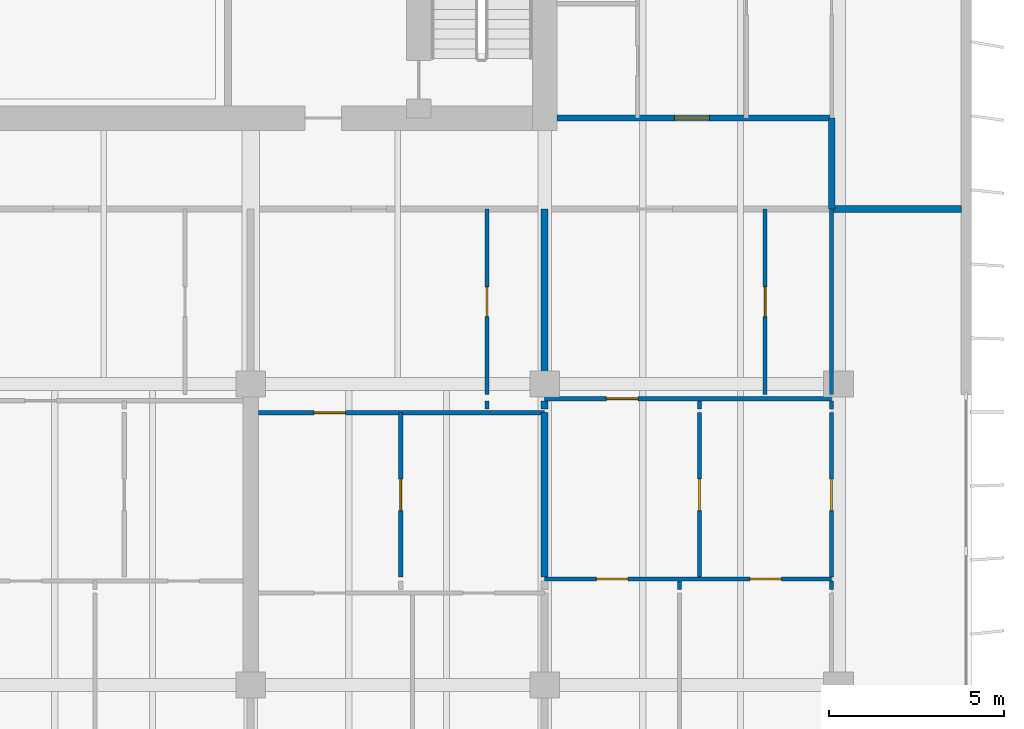
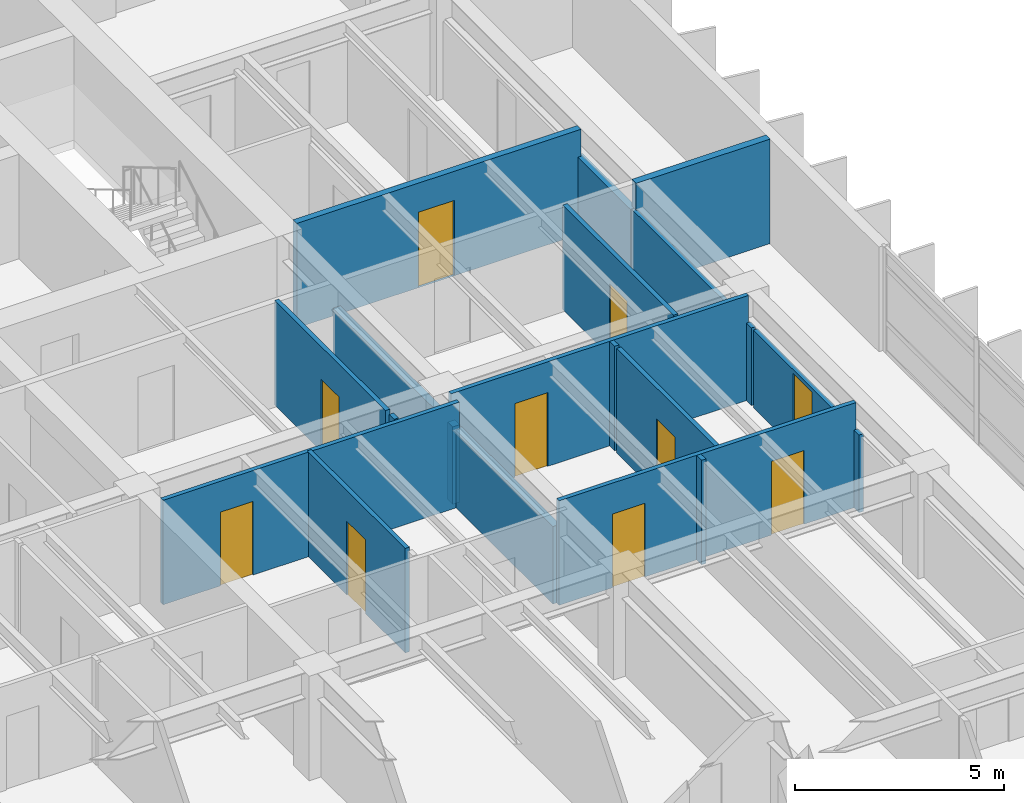
# One storey, part 12 of 19: 20 walls, 10 doors, 10 openings.
"""IFC4 building model written with IfcOpenShell, lengths in metres."""

from ifc_helpers import new_model, si_unit, direction, frame, frame_2d, origin, place, context, subcontext, project, spatial, rectangle, extrude, material, layer, layer_set, type_object, element, fill, save


model = new_model("IFC4")

# Units and contexts
model_context = context("Model", 3, precision=1e-05, world=origin(), true_north=direction((0.0, 1.0)))
body_context = subcontext(model_context, "Body", "Model", "MODEL_VIEW")
ifc_project = project(units=[si_unit("LENGTHUNIT", "METRE"), si_unit("AREAUNIT", "SQUARE_METRE"), si_unit("VOLUMEUNIT", "CUBIC_METRE"), si_unit("PLANEANGLEUNIT", "RADIAN"), si_unit("MASSUNIT", "GRAM", prefix="KILO")], contexts=[model_context])

# Site, building, storey
site_placement = place(None, origin())
site = spatial("IfcSite", under=ifc_project, at=site_placement, CompositionType="ELEMENT")
building_placement = place(site_placement, origin())
building = spatial("IfcBuilding", under=site, at=building_placement, Name="Caelmar Bay Residences", CompositionType="ELEMENT")
storey_placement = place(building_placement, frame((0.0, 0.0, 214.800048828125)))
storey = spatial("IfcBuildingStorey", under=building, at=storey_placement, Name="L60", CompositionType="ELEMENT", Elevation=214.800048828125)

# Wall
ifc_material_1 = material(Name="Double-stud acoustic fire-rated gypsum partition 180 mm")
ifc_layer_1 = layer(ifc_material_1, 0.179931640625)
ifc_layer_set_1 = layer_set([ifc_layer_1], Name="Double-stud acoustic fire-rated gypsum partition 180 mm")
wall_type_1 = type_object("IfcWallType", Name="W-COR-200", PredefinedType="PARTITIONING", material=ifc_layer_set_1)
wall_1_placement = place(storey_placement, frame((67.699951171875, 34.405029296875, 0.0), z_axis=(0.0, 0.0, 1.0), x_axis=(0.0, 1.0, 0.0)))
element("IfcWall", 1, at=wall_1_placement, inside=storey, type_object=wall_type_1, Name="L60 Partition Wall V101", PredefinedType="PARTITIONING", context=body_context, shape_type="SweptSolid", body=[
    extrude(rectangle(XDim=2.594970703125, YDim=0.179931640625, at=frame_2d((1.29736328125, 0.0))), origin(), (0.0, 0.0, 1.0), 2.262939453125),
])

# Wall, opening, door
wall_2_placement = place(storey_placement, frame((59.85498046875, 37.0, 0.0), z_axis=(0.0, 0.0, 1.0), x_axis=(1.0, 0.0, 0.0)))
wall_2 = element("IfcWall", 2, at=wall_2_placement, inside=storey, type_object=wall_type_1, Name="L60 Partition Wall H131", PredefinedType="PARTITIONING", context=body_context, shape_type="SweptSolid", body=[
    extrude(rectangle(XDim=7.844970703125, YDim=0.179931640625, at=frame_2d((3.92236328125, 0.0))), origin(), (0.0, 0.0, 1.0), 3.050048828125),
])
opening_1_placement = place(wall_2_placement, frame((3.34912109375, 0.0, 0.0)))
opening_1 = element("IfcOpeningElement", 3, at=opening_1_placement, cuts=wall_2, Name="Opening D-L60-178", PredefinedType="OPENING", context=body_context, shape_type="SweptSolid", body=[
    extrude(rectangle(XDim=1.0, YDim=2.199951171875, at=frame_2d((0.5, 1.10009765625))), frame((0.0, 0.099853515625, 0.0), z_axis=(0.0, -1.0, 0.0), x_axis=(1.0, 0.0, 0.0)), (0.0, 0.0, 1.0), 0.199951171875),
])
ifc_material_2 = material(Name="Fire-rated steel and walnut architectural door assembly", Category="steel")
ifc_layer_2 = layer(ifc_material_2, 0.050048828125)
ifc_layer_set_2 = layer_set([ifc_layer_2], Name="Fire-rated steel and walnut architectural door assembly")
door_type_1 = type_object("IfcDoorType", Name="D-UNIT-1000", OperationType="NOTDEFINED", PredefinedType="DOOR", material=ifc_layer_set_2)
door_1_placement = place(opening_1_placement, origin())
door_1 = element("IfcDoor", 4, at=door_1_placement, inside=storey, type_object=door_type_1, Name="L60 Residence EA Kitchen Door", OperationType="SINGLE_SWING_LEFT", OverallHeight=2.199951171875, OverallWidth=1.0, PredefinedType="DOOR", context=body_context, shape_type="SweptSolid", body=[
    extrude(rectangle(XDim=1.0, YDim=2.199951171875, at=frame_2d((0.5, 1.10009765625))), frame((0.0, 0.02490234375, 0.0), z_axis=(0.0, -1.0, 0.0), x_axis=(1.0, 0.0, 0.0)), (0.0, 0.0, 1.0), 0.050048828125),
])
fill(opening_1, door_1)

ifc_material_3 = material(Name="Acoustic metal-stud gypsum partition 120 mm")
ifc_layer_3 = layer(ifc_material_3, 0.1201171875)
ifc_layer_set_3 = layer_set([ifc_layer_3], Name="Acoustic metal-stud gypsum partition 120 mm")
wall_type_2 = type_object("IfcWallType", Name="W-PRT-120", PredefinedType="PARTITIONING", material=ifc_layer_set_3)
wall_3_placement = place(storey_placement, frame((55.385986328125, 23.889892578125, 0.0), z_axis=(0.0, 0.0, 1.0), x_axis=(0.0, 1.0, 0.0)))
wall_3 = element("IfcWall", 5, at=wall_3_placement, inside=storey, type_object=wall_type_2, Name="L60 Partition Wall V076", PredefinedType="PARTITIONING", context=body_context, shape_type="SweptSolid", body=[
    extrude(rectangle(XDim=4.690185546875, YDim=0.1201171875, at=frame_2d((2.34521484375, 0.0))), origin(), (0.0, 0.0, 1.0), 3.050048828125),
])
opening_2_placement = place(wall_3_placement, frame((1.89501953125, 0.0, 0.0)))
opening_2 = element("IfcOpeningElement", 6, at=opening_2_placement, cuts=wall_3, Name="Opening D-L60-157", PredefinedType="OPENING", context=body_context, shape_type="SweptSolid", body=[
    extrude(rectangle(XDim=0.89990234375, YDim=2.14990234375, at=frame_2d((0.449951171875, 1.074951171875))), frame((0.0, 0.070068359375, 0.0), z_axis=(0.0, -1.0, 0.0), x_axis=(1.0, 0.0, 0.0)), (0.0, 0.0, 1.0), 0.14013671875),
])
ifc_material_4 = material(Name="Solid walnut timber interior door leaf and frame", Category="wood")
ifc_layer_4 = layer(ifc_material_4, 0.050048828125)
ifc_layer_set_4 = layer_set([ifc_layer_4], Name="Solid walnut timber interior door leaf and frame")
door_type_2 = type_object("IfcDoorType", Name="D-ROOM-900", OperationType="NOTDEFINED", PredefinedType="DOOR", material=ifc_layer_set_4)
door_2_placement = place(opening_2_placement, origin())
door_2 = element("IfcDoor", 7, at=door_2_placement, inside=storey, type_object=door_type_2, Name="L60 Residence 06 Curator Office Door", OperationType="SINGLE_SWING_RIGHT", OverallHeight=2.14990234375, OverallWidth=0.89990234375, PredefinedType="DOOR", context=body_context, shape_type="SweptSolid", body=[
    extrude(rectangle(XDim=0.89990234375, YDim=2.14990234375, at=frame_2d((0.449951171875, 1.074951171875))), frame((0.0, 0.02490234375, 0.0), z_axis=(0.0, -1.0, 0.0), x_axis=(1.0, 0.0, 0.0)), (0.0, 0.0, 1.0), 0.050048828125),
])
fill(opening_2, door_2)

# Wall
wall_4_placement = place(storey_placement, frame((57.85009765625, 28.679931640625, 0.0), z_axis=(0.0, 0.0, 1.0), x_axis=(0.0, 1.0, 0.0)))
element("IfcWall", 8, at=wall_4_placement, inside=storey, type_object=wall_type_2, Name="L60 Partition Wall V080", PredefinedType="PARTITIONING", context=body_context, shape_type="SweptSolid", body=[
    extrude(rectangle(XDim=0.239990234375, YDim=0.1201171875, at=frame_2d((0.1201171875, 0.0))), origin(), (0.0, 0.0, 1.0), 3.050048828125),
])

# Wall, opening, door
wall_5_placement = place(storey_placement, frame((57.85009765625, 29.10009765625, 0.0), z_axis=(0.0, 0.0, 1.0), x_axis=(0.0, 1.0, 0.0)))
wall_5 = element("IfcWall", 9, at=wall_5_placement, inside=storey, type_object=wall_type_2, Name="L60 Partition Wall V081", PredefinedType="PARTITIONING", context=body_context, shape_type="SweptSolid", body=[
    extrude(rectangle(XDim=5.2998046875, YDim=0.1201171875, at=frame_2d((2.64990234375, 0.0))), origin(), (0.0, 0.0, 1.0), 3.050048828125),
])
opening_3_placement = place(wall_5_placement, frame((2.22509765625, 0.0, 0.0)))
opening_3 = element("IfcOpeningElement", 10, at=opening_3_placement, cuts=wall_5, Name="Opening D-L60-155", PredefinedType="OPENING", context=body_context, shape_type="SweptSolid", body=[
    extrude(rectangle(XDim=0.85009765625, YDim=2.10009765625, at=frame_2d((0.425048828125, 1.050048828125))), frame((0.0, 0.070068359375, 0.0), z_axis=(0.0, -1.0, 0.0), x_axis=(1.0, 0.0, 0.0)), (0.0, 0.0, 1.0), 0.14013671875),
])
ifc_layer_5 = layer(ifc_material_4, 0.050048828125)
ifc_layer_set_5 = layer_set([ifc_layer_5], Name="Solid walnut timber interior door leaf and frame")
door_type_3 = type_object("IfcDoorType", Name="D-BATH-850", OperationType="NOTDEFINED", PredefinedType="DOOR", material=ifc_layer_set_5)
door_3_placement = place(opening_3_placement, origin())
door_3 = element("IfcDoor", 11, at=door_3_placement, inside=storey, type_object=door_type_3, Name="L60 Residence 06 Bathroom Door", OperationType="SINGLE_SWING_RIGHT", OverallHeight=2.10009765625, OverallWidth=0.85009765625, PredefinedType="DOOR", context=body_context, shape_type="SweptSolid", body=[
    extrude(rectangle(XDim=0.85009765625, YDim=2.10009765625, at=frame_2d((0.425048828125, 1.050048828125))), frame((0.0, 0.02490234375, 0.0), z_axis=(0.0, -1.0, 0.0), x_axis=(1.0, 0.0, 0.0)), (0.0, 0.0, 1.0), 0.050048828125),
])
fill(opening_3, door_3)

# Wall
wall_6_placement = place(storey_placement, frame((63.35400390625, 23.530029296875, 0.0), z_axis=(0.0, 0.0, 1.0), x_axis=(0.0, 1.0, 0.0)))
element("IfcWall", 12, at=wall_6_placement, inside=storey, type_object=wall_type_2, Name="L60 Partition Wall V091", PredefinedType="PARTITIONING", context=body_context, shape_type="SweptSolid", body=[
    extrude(rectangle(XDim=0.239990234375, YDim=0.1201171875, at=frame_2d((0.1201171875, 0.0))), origin(), (0.0, 0.0, 1.0), 3.050048828125),
])

# Wall, opening, door
wall_7_placement = place(storey_placement, frame((63.927978515625, 23.889892578125, 0.0), z_axis=(0.0, 0.0, 1.0), x_axis=(0.0, 1.0, 0.0)))
wall_7 = element("IfcWall", 13, at=wall_7_placement, inside=storey, type_object=wall_type_2, Name="L60 Partition Wall V092", PredefinedType="PARTITIONING", context=body_context, shape_type="SweptSolid", body=[
    extrude(rectangle(XDim=4.690185546875, YDim=0.1201171875, at=frame_2d((2.34521484375, 0.0))), origin(), (0.0, 0.0, 1.0), 3.050048828125),
])
opening_4_placement = place(wall_7_placement, frame((1.89501953125, 0.0, 0.0)))
opening_4 = element("IfcOpeningElement", 14, at=opening_4_placement, cuts=wall_7, Name="Opening D-L60-164", PredefinedType="OPENING", context=body_context, shape_type="SweptSolid", body=[
    extrude(rectangle(XDim=0.89990234375, YDim=2.14990234375, at=frame_2d((0.449951171875, 1.074951171875))), frame((0.0, 0.070068359375, 0.0), z_axis=(0.0, -1.0, 0.0), x_axis=(1.0, 0.0, 0.0)), (0.0, 0.0, 1.0), 0.14013671875),
])
door_4_placement = place(opening_4_placement, origin())
door_4 = element("IfcDoor", 15, at=door_4_placement, inside=storey, type_object=door_type_2, Name="L60 Residence 07 Curator Office Door", OperationType="SINGLE_SWING_LEFT", OverallHeight=2.14990234375, OverallWidth=0.89990234375, PredefinedType="DOOR", context=body_context, shape_type="SweptSolid", body=[
    extrude(rectangle(XDim=0.89990234375, YDim=2.14990234375, at=frame_2d((0.449951171875, 1.074951171875))), frame((0.0, 0.02490234375, 0.0), z_axis=(0.0, -1.0, 0.0), x_axis=(1.0, 0.0, 0.0)), (0.0, 0.0, 1.0), 0.050048828125),
])
fill(opening_4, door_4)

# Wall
wall_8_placement = place(storey_placement, frame((63.927978515625, 28.679931640625, 0.0), z_axis=(0.0, 0.0, 1.0), x_axis=(0.0, 1.0, 0.0)))
element("IfcWall", 16, at=wall_8_placement, inside=storey, type_object=wall_type_2, Name="L60 Partition Wall V093", PredefinedType="PARTITIONING", context=body_context, shape_type="SweptSolid", body=[
    extrude(rectangle(XDim=0.239990234375, YDim=0.1201171875, at=frame_2d((0.1201171875, 0.0))), origin(), (0.0, 0.0, 1.0), 3.050048828125),
])

# Wall, opening, door
wall_9_placement = place(storey_placement, frame((65.800048828125, 29.10009765625, 0.0), z_axis=(0.0, 0.0, 1.0), x_axis=(0.0, 1.0, 0.0)))
wall_9 = element("IfcWall", 17, at=wall_9_placement, inside=storey, type_object=wall_type_2, Name="L60 Partition Wall V095", PredefinedType="PARTITIONING", context=body_context, shape_type="SweptSolid", body=[
    extrude(rectangle(XDim=5.2998046875, YDim=0.1201171875, at=frame_2d((2.64990234375, 0.0))), origin(), (0.0, 0.0, 1.0), 3.050048828125),
])
opening_5_placement = place(wall_9_placement, frame((2.22509765625, 0.0, 0.0)))
opening_5 = element("IfcOpeningElement", 18, at=opening_5_placement, cuts=wall_9, Name="Opening D-L60-162", PredefinedType="OPENING", context=body_context, shape_type="SweptSolid", body=[
    extrude(rectangle(XDim=0.85009765625, YDim=2.10009765625, at=frame_2d((0.425048828125, 1.050048828125))), frame((0.0, 0.070068359375, 0.0), z_axis=(0.0, -1.0, 0.0), x_axis=(1.0, 0.0, 0.0)), (0.0, 0.0, 1.0), 0.14013671875),
])
door_5_placement = place(opening_5_placement, origin())
door_5 = element("IfcDoor", 19, at=door_5_placement, inside=storey, type_object=door_type_3, Name="L60 Residence 07 Bathroom Door", OperationType="SINGLE_SWING_LEFT", OverallHeight=2.10009765625, OverallWidth=0.85009765625, PredefinedType="DOOR", context=body_context, shape_type="SweptSolid", body=[
    extrude(rectangle(XDim=0.85009765625, YDim=2.10009765625, at=frame_2d((0.425048828125, 1.050048828125))), frame((0.0, 0.02490234375, 0.0), z_axis=(0.0, -1.0, 0.0), x_axis=(1.0, 0.0, 0.0)), (0.0, 0.0, 1.0), 0.050048828125),
])
fill(opening_5, door_5)

# Wall
wall_10_placement = place(storey_placement, frame((67.699951171875, 23.530029296875, 0.0), z_axis=(0.0, 0.0, 1.0), x_axis=(0.0, 1.0, 0.0)))
element("IfcWall", 20, at=wall_10_placement, inside=storey, type_object=wall_type_2, Name="L60 Partition Wall V097", PredefinedType="PARTITIONING", context=body_context, shape_type="SweptSolid", body=[
    extrude(rectangle(XDim=0.239990234375, YDim=0.1201171875, at=frame_2d((0.1201171875, 0.0))), origin(), (0.0, 0.0, 1.0), 2.262939453125),
])

# Wall, opening, door
wall_11_placement = place(storey_placement, frame((67.699951171875, 23.889892578125, 0.0), z_axis=(0.0, 0.0, 1.0), x_axis=(0.0, 1.0, 0.0)))
wall_11 = element("IfcWall", 21, at=wall_11_placement, inside=storey, type_object=wall_type_2, Name="L60 Partition Wall V098", PredefinedType="PARTITIONING", context=body_context, shape_type="SweptSolid", body=[
    extrude(rectangle(XDim=4.690185546875, YDim=0.1201171875, at=frame_2d((2.34521484375, 0.0))), origin(), (0.0, 0.0, 1.0), 2.262939453125),
])
opening_6_placement = place(wall_11_placement, frame((1.89501953125, 0.0, 0.0)))
opening_6 = element("IfcOpeningElement", 22, at=opening_6_placement, cuts=wall_11, Name="Opening D-L60-169", PredefinedType="OPENING", context=body_context, shape_type="SweptSolid", body=[
    extrude(rectangle(XDim=0.89990234375, YDim=2.14990234375, at=frame_2d((0.449951171875, 1.074951171875))), frame((0.0, 0.070068359375, 0.0), z_axis=(0.0, -1.0, 0.0), x_axis=(1.0, 0.0, 0.0)), (0.0, 0.0, 1.0), 0.14013671875),
])
door_6_placement = place(opening_6_placement, origin())
door_6 = element("IfcDoor", 23, at=door_6_placement, inside=storey, type_object=door_type_2, Name="L60 Residence 07 Penthouse East Salon Door", OperationType="SINGLE_SWING_RIGHT", OverallHeight=2.14990234375, OverallWidth=0.89990234375, PredefinedType="DOOR", context=body_context, shape_type="SweptSolid", body=[
    extrude(rectangle(XDim=0.89990234375, YDim=2.14990234375, at=frame_2d((0.449951171875, 1.074951171875))), frame((0.0, 0.02490234375, 0.0), z_axis=(0.0, -1.0, 0.0), x_axis=(1.0, 0.0, 0.0)), (0.0, 0.0, 1.0), 0.050048828125),
])
fill(opening_6, door_6)

# Walls
wall_12_placement = place(storey_placement, frame((67.699951171875, 28.679931640625, 0.0), z_axis=(0.0, 0.0, 1.0), x_axis=(0.0, 1.0, 0.0)))
element("IfcWall", 24, at=wall_12_placement, inside=storey, type_object=wall_type_2, Name="L60 Partition Wall V099", PredefinedType="PARTITIONING", context=body_context, shape_type="SweptSolid", body=[
    extrude(rectangle(XDim=0.239990234375, YDim=0.1201171875, at=frame_2d((0.1201171875, 0.0))), origin(), (0.0, 0.0, 1.0), 2.262939453125),
])
wall_13_placement = place(storey_placement, frame((67.699951171875, 29.10009765625, 0.0), z_axis=(0.0, 0.0, 1.0), x_axis=(0.0, 1.0, 0.0)))
element("IfcWall", 25, at=wall_13_placement, inside=storey, type_object=wall_type_2, Name="L60 Partition Wall V100", PredefinedType="PARTITIONING", context=body_context, shape_type="SweptSolid", body=[
    extrude(rectangle(XDim=5.2998046875, YDim=0.1201171875, at=frame_2d((2.64990234375, 0.0))), origin(), (0.0, 0.0, 1.0), 2.262939453125),
])

# Wall, openings, doors
wall_14_placement = place(storey_placement, frame((59.5, 23.830078125, 0.0), z_axis=(0.0, 0.0, 1.0), x_axis=(1.0, 0.0, 0.0)))
wall_14 = element("IfcWall", 26, at=wall_14_placement, inside=storey, type_object=wall_type_2, Name="L60 Partition Wall H116", PredefinedType="PARTITIONING", context=body_context, shape_type="SweptSolid", body=[
    extrude(rectangle(XDim=8.199951171875, YDim=0.1201171875, at=frame_2d((4.10009765625, 0.0))), origin(), (0.0, 0.0, 1.0), 3.050048828125),
])
opening_7_placement = place(wall_14_placement, frame((1.47705078125, 0.0, 0.0)))
opening_7 = element("IfcOpeningElement", 27, at=opening_7_placement, cuts=wall_14, Name="Opening D-L60-165", PredefinedType="OPENING", context=body_context, shape_type="SweptSolid", body=[
    extrude(rectangle(XDim=0.89990234375, YDim=2.14990234375, at=frame_2d((0.449951171875, 1.074951171875))), frame((0.0, 0.070068359375, 0.0), z_axis=(0.0, -1.0, 0.0), x_axis=(1.0, 0.0, 0.0)), (0.0, 0.0, 1.0), 0.14013671875),
])
opening_8_placement = place(wall_14_placement, frame((5.864013671875, 0.0, 0.0)))
opening_8 = element("IfcOpeningElement", 28, at=opening_8_placement, cuts=wall_14, Name="Opening D-L60-166", PredefinedType="OPENING", context=body_context, shape_type="SweptSolid", body=[
    extrude(rectangle(XDim=0.89990234375, YDim=2.14990234375, at=frame_2d((0.449951171875, 1.074951171875))), frame((0.0, 0.070068359375, 0.0), z_axis=(0.0, -1.0, 0.0), x_axis=(1.0, 0.0, 0.0)), (0.0, 0.0, 1.0), 0.14013671875),
])
door_7_placement = place(opening_7_placement, origin())
door_7 = element("IfcDoor", 29, at=door_7_placement, inside=storey, type_object=door_type_2, Name="L60 Residence 07 Living Room Door", OperationType="SINGLE_SWING_RIGHT", OverallHeight=2.14990234375, OverallWidth=0.89990234375, PredefinedType="DOOR", context=body_context, shape_type="SweptSolid", body=[
    extrude(rectangle(XDim=0.89990234375, YDim=2.14990234375, at=frame_2d((0.449951171875, 1.074951171875))), frame((0.0, 0.02490234375, 0.0), z_axis=(0.0, -1.0, 0.0), x_axis=(1.0, 0.0, 0.0)), (0.0, 0.0, 1.0), 0.050048828125),
])
fill(opening_7, door_7)
door_8_placement = place(opening_8_placement, origin())
door_8 = element("IfcDoor", 30, at=door_8_placement, inside=storey, type_object=door_type_2, Name="L60 Residence 07 Penthouse Sitting Room Door", OperationType="SINGLE_SWING_LEFT", OverallHeight=2.14990234375, OverallWidth=0.89990234375, PredefinedType="DOOR", context=body_context, shape_type="SweptSolid", body=[
    extrude(rectangle(XDim=0.89990234375, YDim=2.14990234375, at=frame_2d((0.449951171875, 1.074951171875))), frame((0.0, 0.02490234375, 0.0), z_axis=(0.0, -1.0, 0.0), x_axis=(1.0, 0.0, 0.0)), (0.0, 0.0, 1.0), 0.050048828125),
])
fill(opening_8, door_8)

# Wall, opening, door
wall_15_placement = place(storey_placement, frame((51.320068359375, 28.580078125, 0.0), z_axis=(0.0, 0.0, 1.0), x_axis=(1.0, 0.0, 0.0)))
wall_15 = element("IfcWall", 31, at=wall_15_placement, inside=storey, type_object=wall_type_2, Name="L60 Partition Wall H118", PredefinedType="PARTITIONING", context=body_context, shape_type="SweptSolid", body=[
    extrude(rectangle(XDim=8.179931640625, YDim=0.1201171875, at=frame_2d((4.08984375, 0.0))), origin(), (0.0, 0.0, 1.0), 3.050048828125),
])
opening_9_placement = place(wall_15_placement, frame((1.5830078125, 0.0, 0.0)))
opening_9 = element("IfcOpeningElement", 32, at=opening_9_placement, cuts=wall_15, Name="Opening D-L60-156", PredefinedType="OPENING", context=body_context, shape_type="SweptSolid", body=[
    extrude(rectangle(XDim=0.89990234375, YDim=2.14990234375, at=frame_2d((0.449951171875, 1.074951171875))), frame((0.0, 0.070068359375, 0.0), z_axis=(0.0, -1.0, 0.0), x_axis=(1.0, 0.0, 0.0)), (0.0, 0.0, 1.0), 0.14013671875),
])
door_9_placement = place(opening_9_placement, origin())
door_9 = element("IfcDoor", 33, at=door_9_placement, inside=storey, type_object=door_type_2, Name="L60 Residence 06 Kitchen Door", OperationType="SINGLE_SWING_LEFT", OverallHeight=2.14990234375, OverallWidth=0.89990234375, PredefinedType="DOOR", context=body_context, shape_type="SweptSolid", body=[
    extrude(rectangle(XDim=0.89990234375, YDim=2.14990234375, at=frame_2d((0.449951171875, 1.074951171875))), frame((0.0, 0.02490234375, 0.0), z_axis=(0.0, -1.0, 0.0), x_axis=(1.0, 0.0, 0.0)), (0.0, 0.0, 1.0), 0.050048828125),
])
fill(opening_9, door_9)

wall_16_placement = place(storey_placement, frame((59.5, 28.97998046875, 0.0), z_axis=(0.0, 0.0, 1.0), x_axis=(1.0, 0.0, 0.0)))
wall_16 = element("IfcWall", 34, at=wall_16_placement, inside=storey, type_object=wall_type_2, Name="L60 Partition Wall H124", PredefinedType="PARTITIONING", context=body_context, shape_type="SweptSolid", body=[
    extrude(rectangle(XDim=8.199951171875, YDim=0.1201171875, at=frame_2d((4.10009765625, 0.0))), origin(), (0.0, 0.0, 1.0), 3.050048828125),
])
opening_10_placement = place(wall_16_placement, frame((1.763916015625, 0.0, 0.0)))
opening_10 = element("IfcOpeningElement", 35, at=opening_10_placement, cuts=wall_16, Name="Opening D-L60-163", PredefinedType="OPENING", context=body_context, shape_type="SweptSolid", body=[
    extrude(rectangle(XDim=0.89990234375, YDim=2.14990234375, at=frame_2d((0.449951171875, 1.074951171875))), frame((0.0, 0.070068359375, 0.0), z_axis=(0.0, -1.0, 0.0), x_axis=(1.0, 0.0, 0.0)), (0.0, 0.0, 1.0), 0.14013671875),
])
door_10_placement = place(opening_10_placement, origin())
door_10 = element("IfcDoor", 36, at=door_10_placement, inside=storey, type_object=door_type_2, Name="L60 Residence 07 Kitchen Door", OperationType="SINGLE_SWING_RIGHT", OverallHeight=2.14990234375, OverallWidth=0.89990234375, PredefinedType="DOOR", context=body_context, shape_type="SweptSolid", body=[
    extrude(rectangle(XDim=0.89990234375, YDim=2.14990234375, at=frame_2d((0.449951171875, 1.074951171875))), frame((0.0, 0.02490234375, 0.0), z_axis=(0.0, -1.0, 0.0), x_axis=(1.0, 0.0, 0.0)), (0.0, 0.0, 1.0), 0.050048828125),
])
fill(opening_10, door_10)

# Walls
ifc_material_5 = material(Name="Acoustic twin-stud fire-rated inter-tenancy partition 200 mm")
ifc_layer_6 = layer(ifc_material_5, 0.199951171875)
ifc_layer_set_6 = layer_set([ifc_layer_6], Name="Acoustic twin-stud fire-rated inter-tenancy partition 200 mm")
wall_type_3 = type_object("IfcWallType", Name="W-PTY-200", PredefinedType="PARTITIONING", material=ifc_layer_set_6)
wall_17_placement = place(storey_placement, frame((59.5, 23.889892578125, 0.0), z_axis=(0.0, 0.0, 1.0), x_axis=(0.0, 1.0, 0.0)))
element("IfcWall", 37, at=wall_17_placement, inside=storey, type_object=wall_type_3, Name="L60 Partition Wall V085", PredefinedType="PARTITIONING", context=body_context, shape_type="SweptSolid", body=[
    extrude(rectangle(XDim=4.690185546875, YDim=0.199951171875, at=frame_2d((2.34521484375, 0.0))), origin(), (0.0, 0.0, 1.0), 2.262939453125),
])
wall_18_placement = place(storey_placement, frame((59.5, 28.679931640625, 0.0), z_axis=(0.0, 0.0, 1.0), x_axis=(0.0, 1.0, 0.0)))
element("IfcWall", 38, at=wall_18_placement, inside=storey, type_object=wall_type_3, Name="L60 Partition Wall V086", PredefinedType="PARTITIONING", context=body_context, shape_type="SweptSolid", body=[
    extrude(rectangle(XDim=0.239990234375, YDim=0.199951171875, at=frame_2d((0.1201171875, 0.0))), origin(), (0.0, 0.0, 1.0), 2.262939453125),
])
wall_19_placement = place(storey_placement, frame((59.5, 29.10009765625, 0.0), z_axis=(0.0, 0.0, 1.0), x_axis=(0.0, 1.0, 0.0)))
element("IfcWall", 39, at=wall_19_placement, inside=storey, type_object=wall_type_3, Name="L60 Partition Wall V087", PredefinedType="PARTITIONING", context=body_context, shape_type="SweptSolid", body=[
    extrude(rectangle(XDim=5.2998046875, YDim=0.199951171875, at=frame_2d((2.64990234375, 0.0))), origin(), (0.0, 0.0, 1.0), 2.262939453125),
])
wall_20_placement = place(storey_placement, frame((67.705078125, 34.39990234375, 0.0), z_axis=(0.0, 0.0, 1.0), x_axis=(1.0, 0.0, 0.0)))
element("IfcWall", 40, at=wall_20_placement, inside=storey, type_object=wall_type_3, Name="L60 Partition Wall H129", PredefinedType="PARTITIONING", context=body_context, shape_type="SweptSolid", body=[
    extrude(rectangle(XDim=3.699951171875, YDim=0.199951171875, at=frame_2d((1.85009765625, 0.0))), origin(), (0.0, 0.0, 1.0), 3.050048828125),
])

save(model, "model.ifc")
